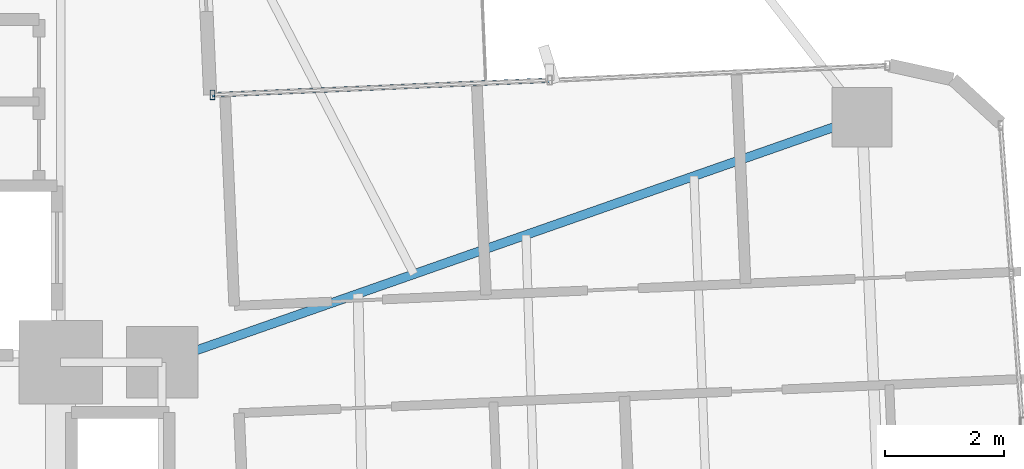
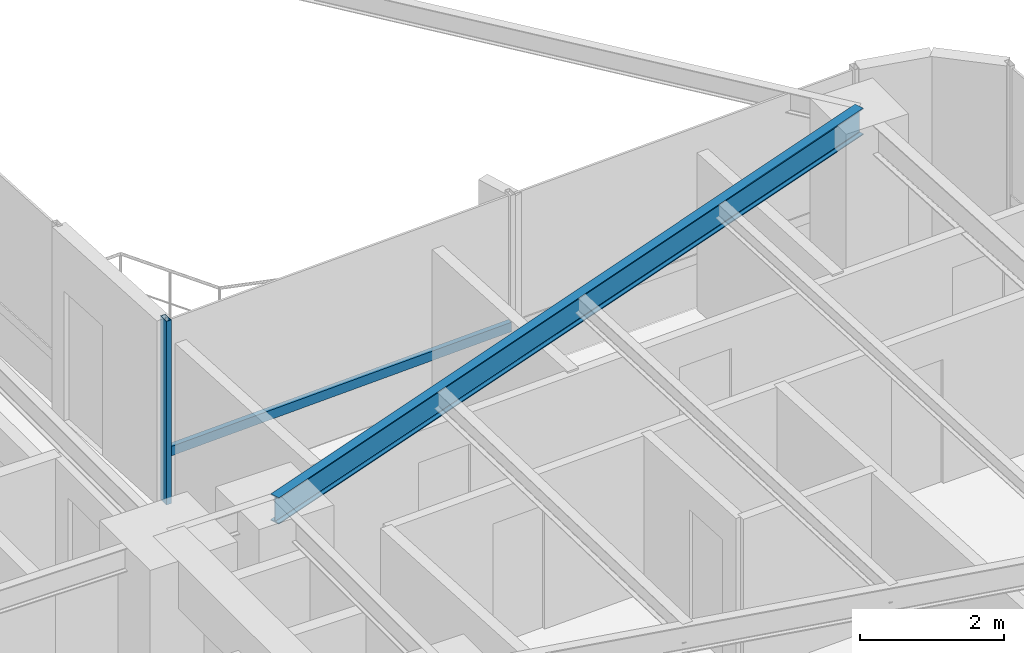
# One storey, part 13 of 26: 2 members, 1 beam, 1 element without a shape of its own.
"""IFC4 building model written with IfcOpenShell, lengths in metres."""

from ifc_helpers import new_model, si_unit, direction, frame, origin, origin_2d, place, context, subcontext, project, spatial, hollow_rectangle, i_section, extrude, source, transform, mapped, material, material_profile, profile_set, type_object, element, aggregate, save


model = new_model("IFC4")

# Units and contexts
model_context = context("Model", 3, precision=1e-05, world=origin(), true_north=direction((0.0, 1.0)))
body_context = subcontext(model_context, "Body", "Model", "MODEL_VIEW")
ifc_project = project(units=[si_unit("LENGTHUNIT", "METRE"), si_unit("AREAUNIT", "SQUARE_METRE"), si_unit("VOLUMEUNIT", "CUBIC_METRE"), si_unit("PLANEANGLEUNIT", "RADIAN"), si_unit("MASSUNIT", "GRAM", prefix="KILO")], contexts=[model_context])

# Site, building, storey
site_placement = place(None, origin())
site = spatial("IfcSite", under=ifc_project, at=site_placement, CompositionType="ELEMENT")
building_placement = place(site_placement, origin())
building = spatial("IfcBuilding", under=site, at=building_placement, Name="Sahyath Konkavel Grand Hotel", CompositionType="ELEMENT")
storey_placement = place(building_placement, frame((0.0, 0.0, 131.550048828125)))
storey = spatial("IfcBuildingStorey", under=building, at=storey_placement, Name="L36", CompositionType="ELEMENT", Elevation=131.550048828125)

# Beam
ifc_material_1 = material(Name="Steel E350", Category="steel")
ifc_material_profile_1 = material_profile(ifc_material_1, i_section(OverallWidth=0.14990234375, OverallDepth=0.449951171875, WebThickness=0.009521484375, FlangeThickness=0.017333984375, FilletRadius=0.014892578125, at=origin_2d()), Name="ISMB 450")
ifc_profile_set_1 = profile_set([ifc_material_profile_1], Name="Steel E350")
beam_type = type_object("IfcBeamType", Name="BM-ISMB450", PredefinedType="BEAM", material=ifc_profile_set_1)
shared_shape_1 = source(origin(), body_context, "Body", "SweptSolid", [
    extrude(i_section(OverallWidth=0.14990234375, OverallDepth=0.449951171875, WebThickness=0.009521484375, FlangeThickness=0.017333984375, FilletRadius=0.014892578125, at=origin_2d()), origin(), (0.0, 0.0, 1.0), 12.430908203125),
])
beam_placement = place(storey_placement, frame((5.5, 2.39990234375, 2.885009765625), z_axis=(0.943819157235, 0.330462400941, 0.0), x_axis=(-0.330462400941, 0.943819157235, 0.0)))
element("IfcBeam", 1, at=beam_placement, inside=storey, type_object=beam_type, Name="L36 Cruciform Radial Girder EB", PredefinedType="BEAM", context=body_context, shape_type="MappedRepresentation", body=[
    mapped(shared_shape_1, transform((0.0, 0.0, 0.0), scale=1.0)),
])

# Curtain wall, members
ifc_material_2 = material(Name="Anodised Bronze Aluminium & Low-E Glazing", Category="aluminium")
curtain_wall_type = type_object("IfcCurtainWallType", Name="CW-ZONE2", PredefinedType="NOTDEFINED", material=ifc_material_2)
curtain_wall_placement = place(storey_placement, origin())
curtain_wall = element("IfcCurtainWall", 2, at=curtain_wall_placement, inside=storey, type_object=curtain_wall_type, Name="L36 Unitised Curtain Wall F7", PredefinedType="NOTDEFINED")
ifc_material_3 = material(Name="Anodised Bronze Aluminium", Category="aluminium")
ifc_material_profile_2 = material_profile(ifc_material_3, hollow_rectangle(XDim=0.080078125, YDim=0.159912109375, WallThickness=0.006103515625, at=origin_2d()), Name="RHS 160x80x6")
ifc_profile_set_2 = profile_set([ifc_material_profile_2], Name="Anodised Bronze Aluminium")
member_type_1 = type_object("IfcMemberType", Name="CW-MUL-160", PredefinedType="MULLION", material=ifc_profile_set_2)
shared_shape_2 = source(origin(), body_context, "Body", "SweptSolid", [
    extrude(hollow_rectangle(XDim=0.080078125, YDim=0.159912109375, WallThickness=0.006103515625, at=origin_2d()), origin(), (0.0, 0.0, 1.0), 3.10986328125),
])
member_1_placement = place(storey_placement, frame((6.345703125, 6.88330078125, 0.0), z_axis=(0.0, 0.0, 1.0), x_axis=(1.0, 0.0, 0.0)))
member_1 = element("IfcMember", 3, at=member_1_placement, type_object=member_type_1, Name="L36 Curtain Wall Mullion F7-2", PredefinedType="MULLION", context=body_context, shape_type="MappedRepresentation", body=[
    mapped(shared_shape_2, transform((0.0, 0.0, 0.0), scale=1.0)),
])
ifc_material_profile_3 = material_profile(ifc_material_3, hollow_rectangle(XDim=0.080078125, YDim=0.159912109375, WallThickness=0.006103515625, at=origin_2d()), Name="RHS 160x80x6")
ifc_profile_set_3 = profile_set([ifc_material_profile_3], Name="Anodised Bronze Aluminium")
member_type_2 = type_object("IfcMemberType", Name="CW-TRN-160", PredefinedType="USERDEFINED", material=ifc_profile_set_3)
shared_shape_3 = source(origin(), body_context, "Body", "SweptSolid", [
    extrude(hollow_rectangle(XDim=0.080078125, YDim=0.159912109375, WallThickness=0.006103515625, at=origin_2d()), origin(), (0.0, 0.0, 1.0), 5.66015625),
])
member_2_placement = place(storey_placement, frame((12.00048828125, 7.13037109375, 0.849853515625), z_axis=(-0.9990468579, -0.043650609628, 0.0), x_axis=(0.043650609628, -0.9990468579, 0.0)))
member_2 = element("IfcMember", 4, at=member_2_placement, type_object=member_type_2, Name="L36 Curtain Wall Transom F7-1-spandrel", ObjectType="TRANSOM", PredefinedType="USERDEFINED", context=body_context, shape_type="MappedRepresentation", body=[
    mapped(shared_shape_3, transform((0.0, 0.0, 0.0), scale=1.0)),
])
aggregate(curtain_wall, [member_1, member_2])

save(model, "model.ifc")
